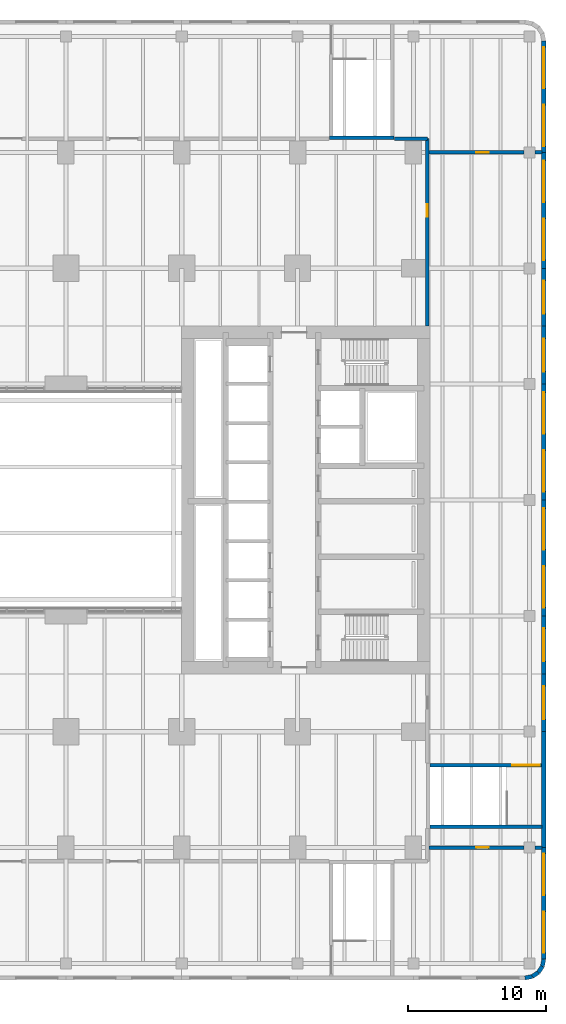
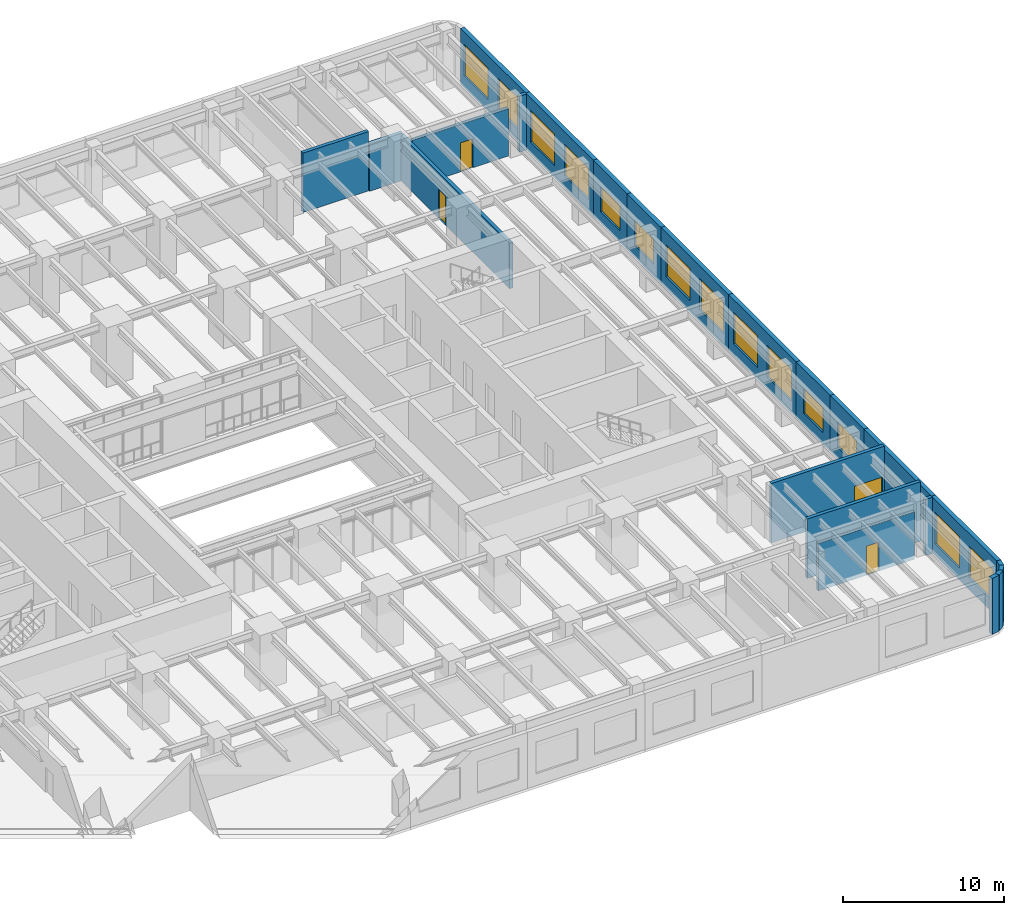
# One storey, part 13 of 22: 23 walls, 14 windows, 4 doors, 18 openings.
"""IFC4 building model written with IfcOpenShell, lengths in metres."""

import ifcopenshell
import ifcopenshell.guid

model = None  # the IFC model being written
_history = None  # IfcOwnerHistory: only IFC2X3 demands one
_inside = {}  # id of a spatial element -> (the spatial element, [elements in it])
_under = {}  # id of a project, library or spatial element -> (it, [spatial elements below it])
_declared = {}  # id of a project -> (the project, [libraries it declares])
_typed = {}  # id of a type object -> (the type object, [elements of that type])
_made_of = {}  # id of a material, layer set ... -> (it, [elements and type objects made of it])


def new_model(schema):
    """Start an empty IFC model of exactly this schema.

    Asked for "IFC4X3", IfcOpenShell would pick the latest addendum, in which some entities
    have other attributes; the version numbers below select the first issue.
    IFC2X3 requires an IfcOwnerHistory on every rooted entity: one is made here for all.
    """
    global model, _history
    if schema == "IFC4X3":
        model = ifcopenshell.file(schema_version=(4, 3, 0, 0))
    else:
        model = ifcopenshell.file(schema=schema)
    _inside.clear()
    _under.clear()
    _declared.clear()
    _typed.clear()
    _made_of.clear()
    _history = None
    if model.schema == "IFC2X3":
        org = make("IfcOrganization", Name="unknown")
        user = make(
            "IfcPersonAndOrganization",
            ThePerson=make("IfcPerson", FamilyName="unknown"),
            TheOrganization=org,
        )
        app = make(
            "IfcApplication",
            ApplicationDeveloper=org,
            Version="unknown",
            ApplicationFullName="unknown",
            ApplicationIdentifier="unknown",
        )
        _history = make(
            "IfcOwnerHistory",
            OwningUser=user,
            OwningApplication=app,
            ChangeAction="ADDED",
            CreationDate=0,
        )
    return model


def make(cls, **values):
    """One entity of the class cls with the attributes given. An attribute that is None is left unset."""
    return model.create_entity(
        cls, **{name: value for name, value in values.items() if value is not None}
    )


def rooted(cls, **values):
    """An entity with a GlobalId (a new one), such as an element, a storey or a relation."""
    return make(cls, GlobalId=ifcopenshell.guid.new(), OwnerHistory=_history, **values)


def si_unit(unit_type, name, prefix=None):
    """IfcSIUnit, for example si_unit("LENGTHUNIT", "METRE", prefix="MILLI")."""
    return make("IfcSIUnit", UnitType=unit_type, Prefix=prefix, Name=name)


def assignment(units):
    """IfcUnitAssignment: the units of a project."""
    return None if units is None else make("IfcUnitAssignment", Units=units)


def point(xyz):
    """IfcCartesianPoint."""
    return None if xyz is None else make("IfcCartesianPoint", Coordinates=xyz)


def direction(xyz):
    """IfcDirection."""
    return None if xyz is None else make("IfcDirection", DirectionRatios=xyz)


def frame(location, z_axis=None, x_axis=None):
    """IfcAxis2Placement3D, a coordinate frame: its origin and axes. An axis left out is left unset."""
    return make(
        "IfcAxis2Placement3D",
        Location=point(location),
        Axis=direction(z_axis),
        RefDirection=direction(x_axis),
    )


def frame_2d(location, x_axis=None):
    """IfcAxis2Placement2D, a coordinate frame in the plane: its origin and x axis."""
    return make(
        "IfcAxis2Placement2D", Location=point(location), RefDirection=direction(x_axis)
    )


def origin():
    """The frame at (0, 0, 0) with its axes left unset."""
    return frame((0.0, 0.0, 0.0))


def place(relative_to, where):
    """IfcLocalPlacement: puts the frame where relative to a parent placement (None: the world)."""
    return make(
        "IfcLocalPlacement", PlacementRelTo=relative_to, RelativePlacement=where
    )


def context(
    kind, dimensions, precision=None, world=None, true_north=None, identifier=None
):
    """IfcGeometricRepresentationContext, for example the 3D "Model" context."""
    return make(
        "IfcGeometricRepresentationContext",
        ContextIdentifier=identifier,
        ContextType=kind,
        CoordinateSpaceDimension=dimensions,
        Precision=precision,
        WorldCoordinateSystem=world,
        TrueNorth=true_north,
    )


def subcontext(parent, identifier, kind, view, scale=None):
    """IfcGeometricRepresentationSubContext, for example "Body" below "Model"."""
    return make(
        "IfcGeometricRepresentationSubContext",
        ContextIdentifier=identifier,
        ContextType=kind,
        ParentContext=parent,
        TargetScale=scale,
        TargetView=view,
    )


def project(units=None, contexts=None):
    """IfcProject with its units and contexts."""
    return rooted(
        "IfcProject",
        Name="project",
        RepresentationContexts=contexts,
        UnitsInContext=assignment(units),
    )


def spatial(cls, under=None, at=None, **own):
    """A site, building, storey or space (cls), placed at a placement, below another one or the project."""
    s = rooted(cls, ObjectPlacement=at, **own)
    if under is not None:
        _under.setdefault(under.id(), (under, []))[1].append(s)
    return s


def profile(cls, at=None, kind="AREA", **sizes):
    """A parametric profile (cls). Its sizes go by their IFC names, for example OverallWidth=200.0."""
    return make(cls, ProfileType=kind, Position=at, **sizes)


def rectangle(**sizes):
    """IfcRectangleProfileDef."""
    return profile("IfcRectangleProfileDef", **sizes)


def extrude(swept, where, along, depth):
    """IfcExtrudedAreaSolid: the profile swept, set in the frame where, extruded along a direction by depth."""
    return make(
        "IfcExtrudedAreaSolid",
        SweptArea=swept,
        Position=where,
        ExtrudedDirection=direction(along),
        Depth=depth,
    )


def shape(context_of_items, identifier, shape_type, items):
    """IfcShapeRepresentation: the items that make up one representation, for example the "Body"."""
    return make(
        "IfcShapeRepresentation",
        ContextOfItems=context_of_items,
        RepresentationIdentifier=identifier,
        RepresentationType=shape_type,
        Items=items,
    )


def material(Name=None, Category=None):
    """IfcMaterial."""
    return make("IfcMaterial", Name=Name, Category=Category)


def layer(
    of_material, thickness, ventilated=None, Name=None, Category=None, Priority=None
):
    """IfcMaterialLayer: one layer of a wall or slab, of a material (None: an air gap)."""
    return make(
        "IfcMaterialLayer",
        Material=of_material,
        LayerThickness=thickness,
        IsVentilated=ventilated,
        Name=Name,
        Category=Category,
        Priority=Priority,
    )


def layer_set(layers, Name=None):
    """IfcMaterialLayerSet."""
    return make("IfcMaterialLayerSet", MaterialLayers=layers, LayerSetName=Name)


def made_of(thing, what):
    """Note that an element or type object is made of a material, layer set ...; save() writes the relation."""
    if what is not None:
        _made_of.setdefault(what.id(), (what, []))[1].append(thing)
    return thing


def type_object(cls, material=None, **own):
    """A type object (cls), such as IfcWallType, which elements share."""
    return made_of(rooted(cls, **own), material)


def element(
    cls,
    number,
    at=None,
    inside=None,
    cuts=None,
    type_object=None,
    material=None,
    context=None,
    identifier="Body",
    shape_type=None,
    held_by="IfcProductDefinitionShape",
    body=None,
    shapes=None,
    **own,
):
    """One element of the class cls, such as IfcWall. Its Tag is "e" and its number.

    at: its placement. inside: the storey or other place that contains it. cuts: it is an
    opening in that element (IfcRelVoidsElement). A single representation is given by context,
    identifier, shape_type and body (its items); several are given by shapes. held_by: the class
    of the entity that holds the representations. save() writes the other relations.
    """
    e = rooted(cls, Tag="e%d" % number, ObjectPlacement=at, **own)
    if body is not None:
        shapes = [shape(context, identifier, shape_type, body)]
    if shapes is not None:
        e.Representation = make(held_by, Representations=shapes)
    if inside is not None:
        _inside.setdefault(inside.id(), (inside, []))[1].append(e)
    if cuts is not None:
        rooted(
            "IfcRelVoidsElement", RelatingBuildingElement=cuts, RelatedOpeningElement=e
        )
    if type_object is not None:
        _typed.setdefault(type_object.id(), (type_object, []))[1].append(e)
    return made_of(e, material)


def fill(opening, filler):
    """IfcRelFillsElement: the door or window that sits in an opening."""
    return rooted(
        "IfcRelFillsElement",
        RelatingOpeningElement=opening,
        RelatedBuildingElement=filler,
    )


def aggregate(whole, parts):
    """IfcRelAggregates: a whole, such as a stair, and the parts it consists of."""
    return rooted("IfcRelAggregates", RelatingObject=whole, RelatedObjects=parts)


def save(model, path):
    """Write the relations noted so far, then the file.

    IfcRelAggregates (storeys below a building ...), IfcRelContainedInSpatialStructure (elements
    in a storey), IfcRelDefinesByType, IfcRelAssociatesMaterial and IfcRelDeclares: one each for
    every whole, place, type object, material and project.
    """
    for whole, parts in _under.values():
        aggregate(whole, parts)
    for where, things in _inside.values():
        rooted(
            "IfcRelContainedInSpatialStructure",
            RelatedElements=things,
            RelatingStructure=where,
        )
    for kind, things in _typed.values():
        rooted("IfcRelDefinesByType", RelatedObjects=things, RelatingType=kind)
    for what, things in _made_of.values():
        rooted("IfcRelAssociatesMaterial", RelatedObjects=things, RelatingMaterial=what)
    for by, libraries in _declared.values():
        rooted("IfcRelDeclares", RelatingContext=by, RelatedDefinitions=libraries)
    model.write(path)


model = new_model("IFC4")

# Units and contexts
model_context = context("Model", 3, precision=1e-05, world=origin(), true_north=direction((0.0, 1.0)))
body_context = subcontext(model_context, "Body", "Model", "MODEL_VIEW")
ifc_project = project(units=[si_unit("LENGTHUNIT", "METRE"), si_unit("AREAUNIT", "SQUARE_METRE"), si_unit("VOLUMEUNIT", "CUBIC_METRE"), si_unit("PLANEANGLEUNIT", "RADIAN"), si_unit("MASSUNIT", "GRAM", prefix="KILO")], contexts=[model_context])

# Site, building, storey
site_placement = place(None, origin())
site = spatial("IfcSite", under=ifc_project, at=site_placement, CompositionType="ELEMENT")
building_placement = place(site_placement, origin())
building = spatial("IfcBuilding", under=site, at=building_placement, Name="Claustro Exchange Tower", CompositionType="ELEMENT")
storey_placement = place(building_placement, frame((0.0, 0.0, 14.39990234375)))
storey = spatial("IfcBuildingStorey", under=building, at=storey_placement, Name="L03", CompositionType="ELEMENT", Elevation=14.39990234375)

# Wall, opening, door
ifc_material_1 = material(Name="Concrete blockwork, rendered", Category="masonry")
ifc_layer_1 = layer(ifc_material_1, 0.25)
ifc_layer_set_1 = layer_set([ifc_layer_1], Name="Concrete blockwork, rendered")
wall_type_1 = type_object("IfcWallType", Name="P4 250 blockwork wall", PredefinedType="PARTITIONING", material=ifc_layer_set_1)
wall_1_placement = place(storey_placement, frame((51.52392578125, 0.0, 0.0), z_axis=(0.0, 0.0, 1.0), x_axis=(1.0, 0.0, 0.0)))
wall_1 = element("IfcWall", 1, at=wall_1_placement, inside=storey, type_object=wall_type_1, Name="Partition P4 L03", PredefinedType="PARTITIONING", context=body_context, shape_type="SweptSolid", body=[
    extrude(rectangle(XDim=6.876953125, YDim=0.25, at=frame_2d((3.4384765625, 0.0))), origin(), (0.0, 0.0, 1.0), 3.60009765625),
])
opening_1_placement = place(wall_1_placement, frame((3.426025390625, 0.0, 0.0)))
opening_1 = element("IfcOpeningElement", 2, at=opening_1_placement, cuts=wall_1, Name="Opening D12", PredefinedType="OPENING", context=body_context, shape_type="SweptSolid", body=[
    extrude(rectangle(XDim=0.89990234375, YDim=2.199951171875, at=frame_2d((0.449951171875, 1.10009765625))), frame((0.0, 0.135009765625, 0.0), z_axis=(0.0, -1.0, 0.0), x_axis=(1.0, 0.0, 0.0)), (0.0, 0.0, 1.0), 0.27001953125),
])
ifc_material_2 = material(Name="Steel door, painted", Category="steel")
door_type_1 = type_object("IfcDoorType", Name="D12 900 x 2200 plant and store room door", OperationType="SINGLE_SWING_LEFT", PredefinedType="DOOR", material=ifc_material_2)
door_1_placement = place(opening_1_placement, origin())
door_1 = element("IfcDoor", 3, at=door_1_placement, inside=storey, type_object=door_type_1, Name="Door D12 L03", OperationType="SINGLE_SWING_LEFT", OverallHeight=2.199951171875, OverallWidth=0.89990234375, PredefinedType="DOOR", context=body_context, shape_type="SweptSolid", body=[
    extrude(rectangle(XDim=0.89990234375, YDim=2.199951171875, at=frame_2d((0.449951171875, 1.10009765625))), frame((0.0, 0.02490234375, 0.0), z_axis=(0.0, -1.0, 0.0), x_axis=(1.0, 0.0, 0.0)), (0.0, 0.0, 1.0), 0.050048828125),
])
fill(opening_1, door_1)

# Walls
wall_2_placement = place(storey_placement, frame((59.198974609375, 0.0, 0.0), z_axis=(0.0, 0.0, 1.0), x_axis=(1.0, 0.0, 0.0)))
element("IfcWall", 4, at=wall_2_placement, inside=storey, type_object=wall_type_1, Name="Partition P4 L03", PredefinedType="PARTITIONING", context=body_context, shape_type="SweptSolid", body=[
    extrude(rectangle(XDim=0.5029296875, YDim=0.25, at=frame_2d((0.25146484375, 0.0))), origin(), (0.0, 0.0, 1.0), 4.25),
])
wall_3_placement = place(storey_placement, frame((49.02001953125, 51.39990234375, 0.0), z_axis=(0.0, 0.0, 1.0), x_axis=(1.0, 0.0, 0.0)))
element("IfcWall", 5, at=wall_3_placement, inside=storey, type_object=wall_type_1, Name="Partition P4 L03", PredefinedType="PARTITIONING", context=body_context, shape_type="SweptSolid", body=[
    extrude(rectangle(XDim=2.3798828125, YDim=0.25, at=frame_2d((1.18994140625, 0.0))), origin(), (0.0, 0.0, 1.0), 3.60009765625),
])

# Wall, opening, door
wall_4_placement = place(storey_placement, frame((51.52392578125, 50.39990234375, 0.0), z_axis=(0.0, 0.0, 1.0), x_axis=(1.0, 0.0, 0.0)))
wall_4 = element("IfcWall", 6, at=wall_4_placement, inside=storey, type_object=wall_type_1, Name="Partition P4 L03", PredefinedType="PARTITIONING", context=body_context, shape_type="SweptSolid", body=[
    extrude(rectangle(XDim=6.876953125, YDim=0.25, at=frame_2d((3.4384765625, 0.0))), origin(), (0.0, 0.0, 1.0), 3.60009765625),
])
opening_2_placement = place(wall_4_placement, frame((3.426025390625, 0.0, 0.0)))
opening_2 = element("IfcOpeningElement", 7, at=opening_2_placement, cuts=wall_4, Name="Opening D12", PredefinedType="OPENING", context=body_context, shape_type="SweptSolid", body=[
    extrude(rectangle(XDim=0.89990234375, YDim=2.199951171875, at=frame_2d((0.449951171875, 1.10009765625))), frame((0.0, 0.135009765625, 0.0), z_axis=(0.0, -1.0, 0.0), x_axis=(1.0, 0.0, 0.0)), (0.0, 0.0, 1.0), 0.27001953125),
])
door_2_placement = place(opening_2_placement, frame((0.89990234375, 0.0, 0.0), z_axis=(0.0, 0.0, 1.0), x_axis=(-1.0, 0.0, 0.0)))
door_2 = element("IfcDoor", 8, at=door_2_placement, inside=storey, type_object=door_type_1, Name="Door D12 L03", OperationType="SINGLE_SWING_RIGHT", OverallHeight=2.199951171875, OverallWidth=0.89990234375, PredefinedType="DOOR", context=body_context, shape_type="SweptSolid", body=[
    extrude(rectangle(XDim=0.89990234375, YDim=2.199951171875, at=frame_2d((0.449951171875, 1.10009765625))), frame((0.0, 0.02490234375, 0.0), z_axis=(0.0, -1.0, 0.0), x_axis=(1.0, 0.0, 0.0)), (0.0, 0.0, 1.0), 0.050048828125),
])
fill(opening_2, door_2)

# Wall
wall_5_placement = place(storey_placement, frame((59.198974609375, 50.39990234375, 0.0), z_axis=(0.0, 0.0, 1.0), x_axis=(1.0, 0.0, 0.0)))
element("IfcWall", 9, at=wall_5_placement, inside=storey, type_object=wall_type_1, Name="Partition P4 L03", PredefinedType="PARTITIONING", context=body_context, shape_type="SweptSolid", body=[
    extrude(rectangle(XDim=0.5029296875, YDim=0.25, at=frame_2d((0.25146484375, 0.0))), origin(), (0.0, 0.0, 1.0), 4.25),
])

# Wall, opening, door
wall_6_placement = place(storey_placement, frame((51.39990234375, 37.800048828125, 0.0), z_axis=(0.0, 0.0, 1.0), x_axis=(0.0, 1.0, 0.0)))
wall_6 = element("IfcWall", 10, at=wall_6_placement, inside=storey, type_object=wall_type_1, Name="Partition P4 L03", PredefinedType="PARTITIONING", context=body_context, shape_type="SweptSolid", body=[
    extrude(rectangle(XDim=13.599853515625, YDim=0.25, at=frame_2d((6.7998046875, 0.0))), origin(), (0.0, 0.0, 1.0), 3.4501953125),
])
opening_3_placement = place(wall_6_placement, frame((7.949951171875, 0.0, 0.0)))
opening_3 = element("IfcOpeningElement", 11, at=opening_3_placement, cuts=wall_6, Name="Opening D12", PredefinedType="OPENING", context=body_context, shape_type="SweptSolid", body=[
    extrude(rectangle(XDim=0.89990234375, YDim=2.199951171875, at=frame_2d((0.449951171875, 1.10009765625))), frame((0.0, 0.135009765625, 0.0), z_axis=(0.0, -1.0, 0.0), x_axis=(1.0, 0.0, 0.0)), (0.0, 0.0, 1.0), 0.27001953125),
])
door_3_placement = place(opening_3_placement, frame((0.89990234375, 0.0, 0.0), z_axis=(0.0, 0.0, 1.0), x_axis=(-1.0, 0.0, 0.0)))
door_3 = element("IfcDoor", 12, at=door_3_placement, inside=storey, type_object=door_type_1, Name="Door D12 L03", OperationType="SINGLE_SWING_LEFT", OverallHeight=2.199951171875, OverallWidth=0.89990234375, PredefinedType="DOOR", context=body_context, shape_type="SweptSolid", body=[
    extrude(rectangle(XDim=0.89990234375, YDim=2.199951171875, at=frame_2d((0.449951171875, 1.10009765625))), frame((0.0, 0.02490234375, 0.0), z_axis=(0.0, -1.0, 0.0), x_axis=(1.0, 0.0, 0.0)), (0.0, 0.0, 1.0), 0.050048828125),
])
fill(opening_3, door_3)

# Wall, openings, windows
ifc_material_3 = material(Name="Concrete HA-40 (C40/50), precast, white cement, acid-etched", Category="concrete")
ifc_layer_2 = layer(ifc_material_3, 0.300048828125)
ifc_layer_set_2 = layer_set([ifc_layer_2], Name="Concrete HA-40 (C40/50), precast, white cement, acid-etched")
wall_type_2 = type_object("IfcWallType", Name="PC1 300 precast concrete pier panel", PredefinedType="SOLIDWALL", material=ifc_layer_set_2)
wall_7_placement = place(storey_placement, frame((59.85009765625, 58.485107421875, 0.0), z_axis=(0.0, 0.0, 1.0), x_axis=(0.0, -1.0, 0.0)))
wall_7 = element("IfcWall", 13, at=wall_7_placement, inside=storey, type_object=wall_type_2, Name="Precast pier panel PC1 L03", PredefinedType="SOLIDWALL", context=body_context, shape_type="SweptSolid", body=[
    extrude(rectangle(XDim=8.085205078125, YDim=0.300048828125, at=frame_2d((4.04248046875, 0.0))), origin(), (0.0, 0.0, 1.0), 4.25),
])
opening_4_placement = place(wall_7_placement, frame((0.442626953125, 0.0, 0.89990234375)))
opening_4 = element("IfcOpeningElement", 14, at=opening_4_placement, cuts=wall_7, Name="Opening W3", PredefinedType="OPENING", context=body_context, shape_type="SweptSolid", body=[
    extrude(rectangle(XDim=3.0, YDim=2.39990234375, at=frame_2d((1.5, 1.199951171875))), frame((0.0, 0.159912109375, 0.0), z_axis=(0.0, -1.0, 0.0), x_axis=(1.0, 0.0, 0.0)), (0.0, 0.0, 1.0), 0.320068359375),
])
opening_5_placement = place(wall_7_placement, frame((4.642578125, 0.0, 0.89990234375)))
opening_5 = element("IfcOpeningElement", 15, at=opening_5_placement, cuts=wall_7, Name="Opening W3", PredefinedType="OPENING", context=body_context, shape_type="SweptSolid", body=[
    extrude(rectangle(XDim=3.0, YDim=2.39990234375, at=frame_2d((1.5, 1.199951171875))), frame((0.0, 0.159912109375, 0.0), z_axis=(0.0, -1.0, 0.0), x_axis=(1.0, 0.0, 0.0)), (0.0, 0.0, 1.0), 0.320068359375),
])
ifc_material_4 = material(Name="Aluminium frame, clear double glazing", Category="aluminium")
window_type_1 = type_object("IfcWindowType", Name="W3 3000 x 2400 window", PartitioningType="SINGLE_PANEL", PredefinedType="WINDOW", material=ifc_material_4)
window_1_placement = place(opening_4_placement, origin())
window_1 = element("IfcWindow", 16, at=window_1_placement, inside=storey, type_object=window_type_1, Name="Window W3 L03", OverallHeight=2.39990234375, OverallWidth=3.0, PartitioningType="SINGLE_PANEL", PredefinedType="WINDOW", context=body_context, shape_type="SweptSolid", body=[
    extrude(rectangle(XDim=3.0, YDim=2.39990234375, at=frame_2d((1.5, 1.199951171875))), frame((0.0, 0.030029296875, 0.0), z_axis=(0.0, -1.0, 0.0), x_axis=(1.0, 0.0, 0.0)), (0.0, 0.0, 1.0), 0.06005859375),
])
fill(opening_4, window_1)
window_2_placement = place(opening_5_placement, origin())
window_2 = element("IfcWindow", 17, at=window_2_placement, inside=storey, type_object=window_type_1, Name="Window W3 L03", OverallHeight=2.39990234375, OverallWidth=3.0, PartitioningType="SINGLE_PANEL", PredefinedType="WINDOW", context=body_context, shape_type="SweptSolid", body=[
    extrude(rectangle(XDim=3.0, YDim=2.39990234375, at=frame_2d((1.5, 1.199951171875))), frame((0.0, 0.030029296875, 0.0), z_axis=(0.0, -1.0, 0.0), x_axis=(1.0, 0.0, 0.0)), (0.0, 0.0, 1.0), 0.06005859375),
])
fill(opening_5, window_2)

wall_8_placement = place(storey_placement, frame((59.85009765625, 50.39990234375, 0.0), z_axis=(0.0, 0.0, 1.0), x_axis=(0.0, -1.0, 0.0)))
wall_8 = element("IfcWall", 18, at=wall_8_placement, inside=storey, type_object=wall_type_2, Name="Precast pier panel PC1 L03", PredefinedType="SOLIDWALL", context=body_context, shape_type="SweptSolid", body=[
    extrude(rectangle(XDim=8.39990234375, YDim=0.300048828125, at=frame_2d((4.199951171875, 0.0))), origin(), (0.0, 0.0, 1.0), 4.25),
])
opening_6_placement = place(wall_8_placement, frame((0.60009765625, 0.0, 0.89990234375)))
opening_6 = element("IfcOpeningElement", 19, at=opening_6_placement, cuts=wall_8, Name="Opening W3", PredefinedType="OPENING", context=body_context, shape_type="SweptSolid", body=[
    extrude(rectangle(XDim=3.0, YDim=2.39990234375, at=frame_2d((1.5, 1.199951171875))), frame((0.0, 0.159912109375, 0.0), z_axis=(0.0, -1.0, 0.0), x_axis=(1.0, 0.0, 0.0)), (0.0, 0.0, 1.0), 0.320068359375),
])
opening_7_placement = place(wall_8_placement, frame((4.800048828125, 0.0, 0.89990234375)))
opening_7 = element("IfcOpeningElement", 20, at=opening_7_placement, cuts=wall_8, Name="Opening W3", PredefinedType="OPENING", context=body_context, shape_type="SweptSolid", body=[
    extrude(rectangle(XDim=3.0, YDim=2.39990234375, at=frame_2d((1.5, 1.199951171875))), frame((0.0, 0.159912109375, 0.0), z_axis=(0.0, -1.0, 0.0), x_axis=(1.0, 0.0, 0.0)), (0.0, 0.0, 1.0), 0.320068359375),
])
window_3_placement = place(opening_6_placement, origin())
window_3 = element("IfcWindow", 21, at=window_3_placement, inside=storey, type_object=window_type_1, Name="Window W3 L03", OverallHeight=2.39990234375, OverallWidth=3.0, PartitioningType="SINGLE_PANEL", PredefinedType="WINDOW", context=body_context, shape_type="SweptSolid", body=[
    extrude(rectangle(XDim=3.0, YDim=2.39990234375, at=frame_2d((1.5, 1.199951171875))), frame((0.0, 0.030029296875, 0.0), z_axis=(0.0, -1.0, 0.0), x_axis=(1.0, 0.0, 0.0)), (0.0, 0.0, 1.0), 0.06005859375),
])
fill(opening_6, window_3)
window_4_placement = place(opening_7_placement, origin())
window_4 = element("IfcWindow", 22, at=window_4_placement, inside=storey, type_object=window_type_1, Name="Window W3 L03", OverallHeight=2.39990234375, OverallWidth=3.0, PartitioningType="SINGLE_PANEL", PredefinedType="WINDOW", context=body_context, shape_type="SweptSolid", body=[
    extrude(rectangle(XDim=3.0, YDim=2.39990234375, at=frame_2d((1.5, 1.199951171875))), frame((0.0, 0.030029296875, 0.0), z_axis=(0.0, -1.0, 0.0), x_axis=(1.0, 0.0, 0.0)), (0.0, 0.0, 1.0), 0.06005859375),
])
fill(opening_7, window_4)

# Wall, opening, window
wall_9_placement = place(storey_placement, frame((59.85009765625, 42.0, 0.0), z_axis=(0.0, 0.0, 1.0), x_axis=(0.0, -1.0, 0.0)))
wall_9 = element("IfcWall", 23, at=wall_9_placement, inside=storey, type_object=wall_type_2, Name="Precast pier panel PC1 L03", PredefinedType="SOLIDWALL", context=body_context, shape_type="SweptSolid", body=[
    extrude(rectangle(XDim=4.199951171875, YDim=0.300048828125, at=frame_2d((2.10009765625, 0.0))), origin(), (0.0, 0.0, 1.0), 4.25),
])
opening_8_placement = place(wall_9_placement, frame((0.89990234375, 0.0, 0.89990234375)))
opening_8 = element("IfcOpeningElement", 24, at=opening_8_placement, cuts=wall_9, Name="Opening W2", PredefinedType="OPENING", context=body_context, shape_type="SweptSolid", body=[
    extrude(rectangle(XDim=2.39990234375, YDim=1.89990234375, at=frame_2d((1.199951171875, 0.949951171875))), frame((0.0, 0.159912109375, 0.0), z_axis=(0.0, -1.0, 0.0), x_axis=(1.0, 0.0, 0.0)), (0.0, 0.0, 1.0), 0.320068359375),
])
ifc_material_5 = material(Name="Aluminium frame, clear double glazing", Category="aluminium")
window_type_2 = type_object("IfcWindowType", Name="W2 2400 x 1900 window", PartitioningType="SINGLE_PANEL", PredefinedType="WINDOW", material=ifc_material_5)
window_5_placement = place(opening_8_placement, origin())
window_5 = element("IfcWindow", 25, at=window_5_placement, inside=storey, type_object=window_type_2, Name="Window W2 L03", OverallHeight=1.89990234375, OverallWidth=2.39990234375, PartitioningType="SINGLE_PANEL", PredefinedType="WINDOW", context=body_context, shape_type="SweptSolid", body=[
    extrude(rectangle(XDim=2.39990234375, YDim=1.89990234375, at=frame_2d((1.199951171875, 0.949951171875))), frame((0.0, 0.030029296875, 0.0), z_axis=(0.0, -1.0, 0.0), x_axis=(1.0, 0.0, 0.0)), (0.0, 0.0, 1.0), 0.06005859375),
])
fill(opening_8, window_5)

wall_10_placement = place(storey_placement, frame((59.85009765625, 37.800048828125, 0.0), z_axis=(0.0, 0.0, 1.0), x_axis=(0.0, -1.0, 0.0)))
wall_10 = element("IfcWall", 26, at=wall_10_placement, inside=storey, type_object=wall_type_2, Name="Precast pier panel PC1 L03", PredefinedType="SOLIDWALL", context=body_context, shape_type="SweptSolid", body=[
    extrude(rectangle(XDim=4.199951171875, YDim=0.300048828125, at=frame_2d((2.10009765625, 0.0))), origin(), (0.0, 0.0, 1.0), 4.25),
])
opening_9_placement = place(wall_10_placement, frame((0.89990234375, 0.0, 0.89990234375)))
opening_9 = element("IfcOpeningElement", 27, at=opening_9_placement, cuts=wall_10, Name="Opening W2", PredefinedType="OPENING", context=body_context, shape_type="SweptSolid", body=[
    extrude(rectangle(XDim=2.39990234375, YDim=1.89990234375, at=frame_2d((1.199951171875, 0.949951171875))), frame((0.0, 0.159912109375, 0.0), z_axis=(0.0, -1.0, 0.0), x_axis=(1.0, 0.0, 0.0)), (0.0, 0.0, 1.0), 0.320068359375),
])
window_6_placement = place(opening_9_placement, origin())
window_6 = element("IfcWindow", 28, at=window_6_placement, inside=storey, type_object=window_type_2, Name="Window W2 L03", OverallHeight=1.89990234375, OverallWidth=2.39990234375, PartitioningType="SINGLE_PANEL", PredefinedType="WINDOW", context=body_context, shape_type="SweptSolid", body=[
    extrude(rectangle(XDim=2.39990234375, YDim=1.89990234375, at=frame_2d((1.199951171875, 0.949951171875))), frame((0.0, 0.030029296875, 0.0), z_axis=(0.0, -1.0, 0.0), x_axis=(1.0, 0.0, 0.0)), (0.0, 0.0, 1.0), 0.06005859375),
])
fill(opening_9, window_6)

# Wall, openings, windows
wall_11_placement = place(storey_placement, frame((59.85009765625, 33.60009765625, 0.0), z_axis=(0.0, 0.0, 1.0), x_axis=(0.0, -1.0, 0.0)))
wall_11 = element("IfcWall", 29, at=wall_11_placement, inside=storey, type_object=wall_type_2, Name="Precast pier panel PC1 L03", PredefinedType="SOLIDWALL", context=body_context, shape_type="SweptSolid", body=[
    extrude(rectangle(XDim=8.400146484375, YDim=0.300048828125, at=frame_2d((4.2001953125, 0.0))), origin(), (0.0, 0.0, 1.0), 4.25),
])
opening_10_placement = place(wall_11_placement, frame((0.60009765625, 0.0, 0.89990234375)))
opening_10 = element("IfcOpeningElement", 30, at=opening_10_placement, cuts=wall_11, Name="Opening W3", PredefinedType="OPENING", context=body_context, shape_type="SweptSolid", body=[
    extrude(rectangle(XDim=3.0, YDim=2.39990234375, at=frame_2d((1.5, 1.199951171875))), frame((0.0, 0.159912109375, 0.0), z_axis=(0.0, -1.0, 0.0), x_axis=(1.0, 0.0, 0.0)), (0.0, 0.0, 1.0), 0.320068359375),
])
opening_11_placement = place(wall_11_placement, frame((4.800048828125, 0.0, 0.89990234375)))
opening_11 = element("IfcOpeningElement", 31, at=opening_11_placement, cuts=wall_11, Name="Opening W3", PredefinedType="OPENING", context=body_context, shape_type="SweptSolid", body=[
    extrude(rectangle(XDim=3.0, YDim=2.39990234375, at=frame_2d((1.5, 1.199951171875))), frame((0.0, 0.159912109375, 0.0), z_axis=(0.0, -1.0, 0.0), x_axis=(1.0, 0.0, 0.0)), (0.0, 0.0, 1.0), 0.320068359375),
])
window_7_placement = place(opening_10_placement, origin())
window_7 = element("IfcWindow", 32, at=window_7_placement, inside=storey, type_object=window_type_1, Name="Window W3 L03", OverallHeight=2.39990234375, OverallWidth=3.0, PartitioningType="SINGLE_PANEL", PredefinedType="WINDOW", context=body_context, shape_type="SweptSolid", body=[
    extrude(rectangle(XDim=3.0, YDim=2.39990234375, at=frame_2d((1.5, 1.199951171875))), frame((0.0, 0.030029296875, 0.0), z_axis=(0.0, -1.0, 0.0), x_axis=(1.0, 0.0, 0.0)), (0.0, 0.0, 1.0), 0.06005859375),
])
fill(opening_10, window_7)
window_8_placement = place(opening_11_placement, origin())
window_8 = element("IfcWindow", 33, at=window_8_placement, inside=storey, type_object=window_type_1, Name="Window W3 L03", OverallHeight=2.39990234375, OverallWidth=3.0, PartitioningType="SINGLE_PANEL", PredefinedType="WINDOW", context=body_context, shape_type="SweptSolid", body=[
    extrude(rectangle(XDim=3.0, YDim=2.39990234375, at=frame_2d((1.5, 1.199951171875))), frame((0.0, 0.030029296875, 0.0), z_axis=(0.0, -1.0, 0.0), x_axis=(1.0, 0.0, 0.0)), (0.0, 0.0, 1.0), 0.06005859375),
])
fill(opening_11, window_8)

wall_12_placement = place(storey_placement, frame((59.85009765625, 25.199951171875, 0.0), z_axis=(0.0, 0.0, 1.0), x_axis=(0.0, -1.0, 0.0)))
wall_12 = element("IfcWall", 34, at=wall_12_placement, inside=storey, type_object=wall_type_2, Name="Precast pier panel PC1 L03", PredefinedType="SOLIDWALL", context=body_context, shape_type="SweptSolid", body=[
    extrude(rectangle(XDim=8.39990234375, YDim=0.300048828125, at=frame_2d((4.199951171875, 0.0))), origin(), (0.0, 0.0, 1.0), 4.25),
])
opening_12_placement = place(wall_12_placement, frame((0.60009765625, 0.0, 0.89990234375)))
opening_12 = element("IfcOpeningElement", 35, at=opening_12_placement, cuts=wall_12, Name="Opening W3", PredefinedType="OPENING", context=body_context, shape_type="SweptSolid", body=[
    extrude(rectangle(XDim=3.0, YDim=2.39990234375, at=frame_2d((1.5, 1.199951171875))), frame((0.0, 0.159912109375, 0.0), z_axis=(0.0, -1.0, 0.0), x_axis=(1.0, 0.0, 0.0)), (0.0, 0.0, 1.0), 0.320068359375),
])
opening_13_placement = place(wall_12_placement, frame((4.800048828125, 0.0, 0.89990234375)))
opening_13 = element("IfcOpeningElement", 36, at=opening_13_placement, cuts=wall_12, Name="Opening W3", PredefinedType="OPENING", context=body_context, shape_type="SweptSolid", body=[
    extrude(rectangle(XDim=3.0, YDim=2.39990234375, at=frame_2d((1.5, 1.199951171875))), frame((0.0, 0.159912109375, 0.0), z_axis=(0.0, -1.0, 0.0), x_axis=(1.0, 0.0, 0.0)), (0.0, 0.0, 1.0), 0.320068359375),
])
window_9_placement = place(opening_12_placement, origin())
window_9 = element("IfcWindow", 37, at=window_9_placement, inside=storey, type_object=window_type_1, Name="Window W3 L03", OverallHeight=2.39990234375, OverallWidth=3.0, PartitioningType="SINGLE_PANEL", PredefinedType="WINDOW", context=body_context, shape_type="SweptSolid", body=[
    extrude(rectangle(XDim=3.0, YDim=2.39990234375, at=frame_2d((1.5, 1.199951171875))), frame((0.0, 0.030029296875, 0.0), z_axis=(0.0, -1.0, 0.0), x_axis=(1.0, 0.0, 0.0)), (0.0, 0.0, 1.0), 0.06005859375),
])
fill(opening_12, window_9)
window_10_placement = place(opening_13_placement, origin())
window_10 = element("IfcWindow", 38, at=window_10_placement, inside=storey, type_object=window_type_1, Name="Window W3 L03", OverallHeight=2.39990234375, OverallWidth=3.0, PartitioningType="SINGLE_PANEL", PredefinedType="WINDOW", context=body_context, shape_type="SweptSolid", body=[
    extrude(rectangle(XDim=3.0, YDim=2.39990234375, at=frame_2d((1.5, 1.199951171875))), frame((0.0, 0.030029296875, 0.0), z_axis=(0.0, -1.0, 0.0), x_axis=(1.0, 0.0, 0.0)), (0.0, 0.0, 1.0), 0.06005859375),
])
fill(opening_13, window_10)

# Wall, opening, window
wall_13_placement = place(storey_placement, frame((59.85009765625, 16.800048828125, 0.0), z_axis=(0.0, 0.0, 1.0), x_axis=(0.0, -1.0, 0.0)))
wall_13 = element("IfcWall", 39, at=wall_13_placement, inside=storey, type_object=wall_type_2, Name="Precast pier panel PC1 L03", PredefinedType="SOLIDWALL", context=body_context, shape_type="SweptSolid", body=[
    extrude(rectangle(XDim=4.199951171875, YDim=0.300048828125, at=frame_2d((2.10009765625, 0.0))), origin(), (0.0, 0.0, 1.0), 4.25),
])
opening_14_placement = place(wall_13_placement, frame((0.89990234375, 0.0, 0.89990234375)))
opening_14 = element("IfcOpeningElement", 40, at=opening_14_placement, cuts=wall_13, Name="Opening W2", PredefinedType="OPENING", context=body_context, shape_type="SweptSolid", body=[
    extrude(rectangle(XDim=2.39990234375, YDim=1.89990234375, at=frame_2d((1.199951171875, 0.949951171875))), frame((0.0, 0.159912109375, 0.0), z_axis=(0.0, -1.0, 0.0), x_axis=(1.0, 0.0, 0.0)), (0.0, 0.0, 1.0), 0.320068359375),
])
window_11_placement = place(opening_14_placement, origin())
window_11 = element("IfcWindow", 41, at=window_11_placement, inside=storey, type_object=window_type_2, Name="Window W2 L03", OverallHeight=1.89990234375, OverallWidth=2.39990234375, PartitioningType="SINGLE_PANEL", PredefinedType="WINDOW", context=body_context, shape_type="SweptSolid", body=[
    extrude(rectangle(XDim=2.39990234375, YDim=1.89990234375, at=frame_2d((1.199951171875, 0.949951171875))), frame((0.0, 0.030029296875, 0.0), z_axis=(0.0, -1.0, 0.0), x_axis=(1.0, 0.0, 0.0)), (0.0, 0.0, 1.0), 0.06005859375),
])
fill(opening_14, window_11)

wall_14_placement = place(storey_placement, frame((59.85009765625, 12.60009765625, 0.0), z_axis=(0.0, 0.0, 1.0), x_axis=(0.0, -1.0, 0.0)))
wall_14 = element("IfcWall", 42, at=wall_14_placement, inside=storey, type_object=wall_type_2, Name="Precast pier panel PC1 L03", PredefinedType="SOLIDWALL", context=body_context, shape_type="SweptSolid", body=[
    extrude(rectangle(XDim=4.2001953125, YDim=0.300048828125, at=frame_2d((2.10009765625, 0.0))), origin(), (0.0, 0.0, 1.0), 4.25),
])
opening_15_placement = place(wall_14_placement, frame((0.89990234375, 0.0, 0.89990234375)))
opening_15 = element("IfcOpeningElement", 43, at=opening_15_placement, cuts=wall_14, Name="Opening W2", PredefinedType="OPENING", context=body_context, shape_type="SweptSolid", body=[
    extrude(rectangle(XDim=2.39990234375, YDim=1.89990234375, at=frame_2d((1.199951171875, 0.949951171875))), frame((0.0, 0.159912109375, 0.0), z_axis=(0.0, -1.0, 0.0), x_axis=(1.0, 0.0, 0.0)), (0.0, 0.0, 1.0), 0.320068359375),
])
window_12_placement = place(opening_15_placement, origin())
window_12 = element("IfcWindow", 44, at=window_12_placement, inside=storey, type_object=window_type_2, Name="Window W2 L03", OverallHeight=1.89990234375, OverallWidth=2.39990234375, PartitioningType="SINGLE_PANEL", PredefinedType="WINDOW", context=body_context, shape_type="SweptSolid", body=[
    extrude(rectangle(XDim=2.39990234375, YDim=1.89990234375, at=frame_2d((1.199951171875, 0.949951171875))), frame((0.0, 0.030029296875, 0.0), z_axis=(0.0, -1.0, 0.0), x_axis=(1.0, 0.0, 0.0)), (0.0, 0.0, 1.0), 0.06005859375),
])
fill(opening_15, window_12)

# Wall
wall_15_placement = place(storey_placement, frame((59.85009765625, 8.39990234375, 0.0), z_axis=(0.0, 0.0, 1.0), x_axis=(0.0, -1.0, 0.0)))
element("IfcWall", 45, at=wall_15_placement, inside=storey, type_object=wall_type_2, Name="Precast pier panel PC1 L03", PredefinedType="SOLIDWALL", context=body_context, shape_type="SweptSolid", body=[
    extrude(rectangle(XDim=8.39990234375, YDim=0.300048828125, at=frame_2d((4.199951171875, 0.0))), origin(), (0.0, 0.0, 1.0), 4.25),
])

# Wall, openings, windows
wall_16_placement = place(storey_placement, frame((59.85009765625, 0.0, 0.0), z_axis=(0.0, 0.0, 1.0), x_axis=(0.0, -1.0, 0.0)))
wall_16 = element("IfcWall", 46, at=wall_16_placement, inside=storey, type_object=wall_type_2, Name="Precast pier panel PC1 L03", PredefinedType="SOLIDWALL", context=body_context, shape_type="SweptSolid", body=[
    extrude(rectangle(XDim=8.085205078125, YDim=0.300048828125, at=frame_2d((4.04248046875, 0.0))), origin(), (0.0, 0.0, 1.0), 4.25),
])
opening_16_placement = place(wall_16_placement, frame((0.442626953125, 0.0, 0.89990234375)))
opening_16 = element("IfcOpeningElement", 47, at=opening_16_placement, cuts=wall_16, Name="Opening W3", PredefinedType="OPENING", context=body_context, shape_type="SweptSolid", body=[
    extrude(rectangle(XDim=3.0, YDim=2.39990234375, at=frame_2d((1.5, 1.199951171875))), frame((0.0, 0.159912109375, 0.0), z_axis=(0.0, -1.0, 0.0), x_axis=(1.0, 0.0, 0.0)), (0.0, 0.0, 1.0), 0.320068359375),
])
opening_17_placement = place(wall_16_placement, frame((4.642578125, 0.0, 0.89990234375)))
opening_17 = element("IfcOpeningElement", 48, at=opening_17_placement, cuts=wall_16, Name="Opening W3", PredefinedType="OPENING", context=body_context, shape_type="SweptSolid", body=[
    extrude(rectangle(XDim=3.0, YDim=2.39990234375, at=frame_2d((1.5, 1.199951171875))), frame((0.0, 0.159912109375, 0.0), z_axis=(0.0, -1.0, 0.0), x_axis=(1.0, 0.0, 0.0)), (0.0, 0.0, 1.0), 0.320068359375),
])
window_13_placement = place(opening_16_placement, origin())
window_13 = element("IfcWindow", 49, at=window_13_placement, inside=storey, type_object=window_type_1, Name="Window W3 L03", OverallHeight=2.39990234375, OverallWidth=3.0, PartitioningType="SINGLE_PANEL", PredefinedType="WINDOW", context=body_context, shape_type="SweptSolid", body=[
    extrude(rectangle(XDim=3.0, YDim=2.39990234375, at=frame_2d((1.5, 1.199951171875))), frame((0.0, 0.030029296875, 0.0), z_axis=(0.0, -1.0, 0.0), x_axis=(1.0, 0.0, 0.0)), (0.0, 0.0, 1.0), 0.06005859375),
])
fill(opening_16, window_13)
window_14_placement = place(opening_17_placement, origin())
window_14 = element("IfcWindow", 50, at=window_14_placement, inside=storey, type_object=window_type_1, Name="Window W3 L03", OverallHeight=2.39990234375, OverallWidth=3.0, PartitioningType="SINGLE_PANEL", PredefinedType="WINDOW", context=body_context, shape_type="SweptSolid", body=[
    extrude(rectangle(XDim=3.0, YDim=2.39990234375, at=frame_2d((1.5, 1.199951171875))), frame((0.0, 0.030029296875, 0.0), z_axis=(0.0, -1.0, 0.0), x_axis=(1.0, 0.0, 0.0)), (0.0, 0.0, 1.0), 0.06005859375),
])
fill(opening_17, window_14)

# Walls
wall_17_placement = place(storey_placement, frame((59.85009765625, -8.085205078125, 0.0), z_axis=(0.0, 0.0, 1.0), x_axis=(-0.1955082817, -0.980702050465, 0.0)))
element("IfcWall", 51, at=wall_17_placement, inside=storey, type_object=wall_type_2, Name="Precast pier panel PC1 L03", PredefinedType="SOLIDWALL", context=body_context, shape_type="SweptSolid", body=[
    extrude(rectangle(XDim=0.540771484375, YDim=0.300048828125, at=frame_2d((0.2705078125, 0.0))), origin(), (0.0, 0.0, 1.0), 4.25),
])
wall_18_placement = place(storey_placement, frame((59.744384765625, -8.615478515625, 0.0), z_axis=(0.0, 0.0, 1.0), x_axis=(-0.555236195849, -0.831692711774, 0.0)))
element("IfcWall", 52, at=wall_18_placement, inside=storey, type_object=wall_type_2, Name="Precast pier panel PC1 L03", PredefinedType="SOLIDWALL", context=body_context, shape_type="SweptSolid", body=[
    extrude(rectangle(XDim=0.525390625, YDim=0.300048828125, at=frame_2d((0.2626953125, 0.0))), origin(), (0.0, 0.0, 1.0), 4.25),
])
wall_19_placement = place(storey_placement, frame((59.45263671875, -9.052490234375, 0.0), z_axis=(0.0, 0.0, 1.0), x_axis=(-0.831621430339, -0.55534295404, 0.0)))
element("IfcWall", 53, at=wall_19_placement, inside=storey, type_object=wall_type_2, Name="Precast pier panel PC1 L03", PredefinedType="SOLIDWALL", context=body_context, shape_type="SweptSolid", body=[
    extrude(rectangle(XDim=0.52587890625, YDim=0.300048828125, at=frame_2d((0.262939453125, 0.0))), origin(), (0.0, 0.0, 1.0), 4.25),
])
wall_20_placement = place(storey_placement, frame((59.015380859375, -9.344482421875, 0.0), z_axis=(0.0, 0.0, 1.0), x_axis=(-0.980788534345, -0.195073962632, 0.0)))
element("IfcWall", 54, at=wall_20_placement, inside=storey, type_object=wall_type_2, Name="Precast pier panel PC1 L03", PredefinedType="SOLIDWALL", context=body_context, shape_type="SweptSolid", body=[
    extrude(rectangle(XDim=0.540771484375, YDim=0.300048828125, at=frame_2d((0.2705078125, 0.0))), origin(), (0.0, 0.0, 1.0), 4.25),
])
ifc_material_6 = material(Name="Concrete HA-40 (C40/50)", Category="concrete")
ifc_layer_3 = layer(ifc_material_6, 0.25)
ifc_layer_set_3 = layer_set([ifc_layer_3], Name="Concrete HA-40 (C40/50)")
wall_type_3 = type_object("IfcWallType", Name="SW7 250 reinforced concrete stair wall", PredefinedType="SOLIDWALL", material=ifc_layer_set_3)
wall_21_placement = place(storey_placement, frame((44.300048828125, 51.47509765625, 0.0), z_axis=(0.0, 0.0, 1.0), x_axis=(1.0, 0.0, 0.0)))
element("IfcWall", 55, at=wall_21_placement, inside=storey, type_object=wall_type_3, Name="Stair enclosure wall STP4 SW7 L03", PredefinedType="SOLIDWALL", context=body_context, shape_type="SweptSolid", body=[
    extrude(rectangle(XDim=4.699951171875, YDim=0.25, at=frame_2d((2.35009765625, 0.0))), origin(), (0.0, 0.0, 1.0), 4.5),
])
wall_22_placement = place(storey_placement, frame((59.701904296875, 1.52490234375, 0.0), z_axis=(0.0, 0.0, 1.0), x_axis=(-1.0, 0.0, 0.0)))
element("IfcWall", 56, at=wall_22_placement, inside=storey, type_object=wall_type_3, Name="Stair enclosure wall STP6 SW7 L03", PredefinedType="SOLIDWALL", context=body_context, shape_type="SweptSolid", body=[
    extrude(rectangle(XDim=8.101806640625, YDim=0.25, at=frame_2d((4.05078125, 0.0))), origin(), (0.0, 0.0, 1.0), 4.5),
])

# Wall, opening, door
wall_23_placement = place(storey_placement, frame((59.701904296875, 5.97509765625, 0.0), z_axis=(0.0, 0.0, 1.0), x_axis=(-1.0, 0.0, 0.0)))
wall_23 = element("IfcWall", 57, at=wall_23_placement, inside=storey, type_object=wall_type_3, Name="Stair enclosure wall STP6 SW7 L03", PredefinedType="SOLIDWALL", context=body_context, shape_type="SweptSolid", body=[
    extrude(rectangle(XDim=8.101806640625, YDim=0.25, at=frame_2d((4.05078125, 0.0))), origin(), (0.0, 0.0, 1.0), 4.5),
])
opening_18_placement = place(wall_23_placement, frame((0.14990234375, 0.0, 0.0)))
opening_18 = element("IfcOpeningElement", 58, at=opening_18_placement, cuts=wall_23, Name="Opening D11", PredefinedType="OPENING", context=body_context, shape_type="SweptSolid", body=[
    extrude(rectangle(XDim=2.0, YDim=2.199951171875, at=frame_2d((1.0, 1.10009765625))), frame((0.0, 0.135009765625, 0.0), z_axis=(0.0, -1.0, 0.0), x_axis=(1.0, 0.0, 0.0)), (0.0, 0.0, 1.0), 0.27001953125),
])
ifc_material_7 = material(Name="Steel fire door, painted", Category="steel")
door_type_2 = type_object("IfcDoorType", Name="D11 2000 x 2200 fire-rated stair double door", OperationType="DOUBLE_DOOR_SINGLE_SWING", PredefinedType="DOOR", material=ifc_material_7)
door_4_placement = place(opening_18_placement, origin())
door_4 = element("IfcDoor", 59, at=door_4_placement, inside=storey, type_object=door_type_2, Name="Stair door STP6 D11 L03", OperationType="DOUBLE_DOOR_SINGLE_SWING", OverallHeight=2.199951171875, OverallWidth=2.0, PredefinedType="DOOR", context=body_context, shape_type="SweptSolid", body=[
    extrude(rectangle(XDim=2.0, YDim=2.199951171875, at=frame_2d((1.0, 1.10009765625))), frame((0.0, 0.02490234375, 0.0), z_axis=(0.0, -1.0, 0.0), x_axis=(1.0, 0.0, 0.0)), (0.0, 0.0, 1.0), 0.050048828125),
])
fill(opening_18, door_4)

save(model, "model.ifc")
